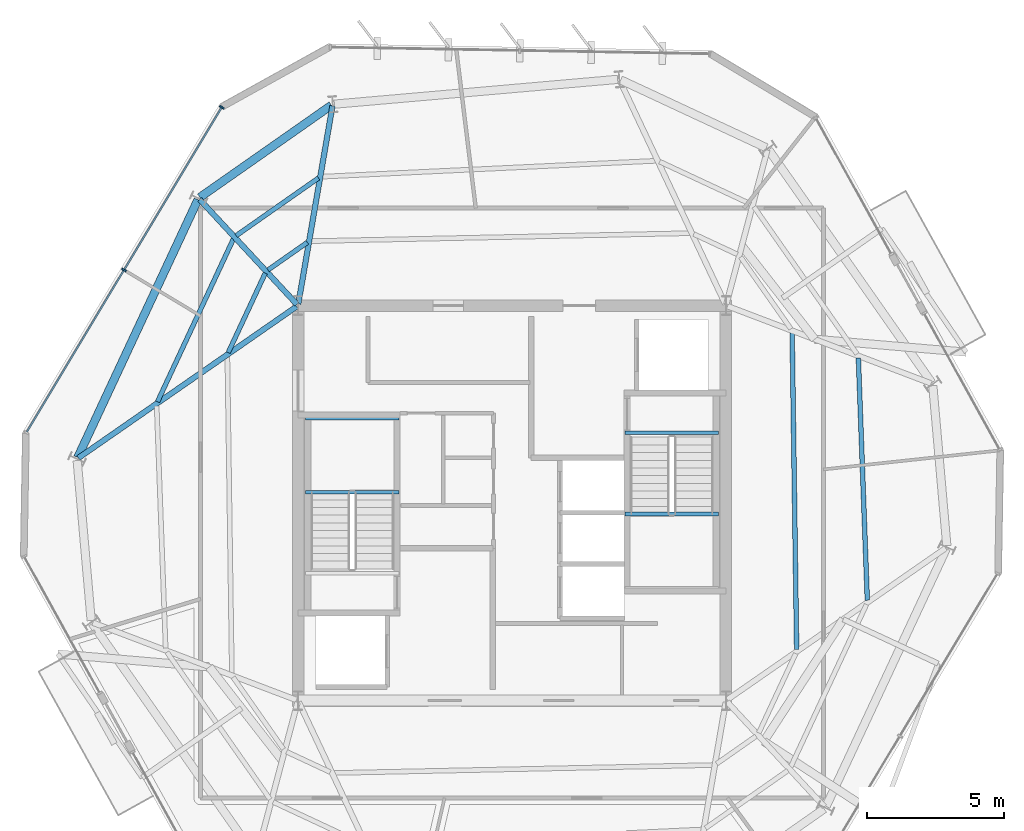
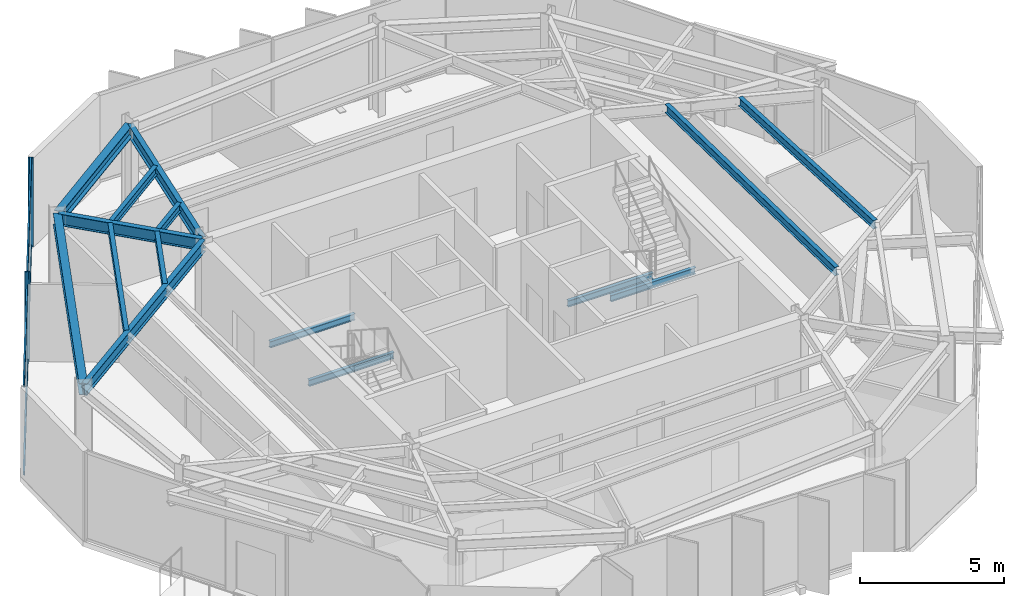
# One storey, part 4 of 10: 15 beams, 6 members, 1 element without a shape of its own.
"""IFC4 building model written with IfcOpenShell, lengths in metres."""

from ifc_helpers import new_model, si_unit, direction, frame, origin, origin_2d, place, context, subcontext, project, spatial, rectangle, i_section, extrude, material, layer, layer_set, material_profile, profile_set, type_object, element, aggregate, save


model = new_model("IFC4")

# Units and contexts
model_context = context("Model", 3, precision=1e-05, world=origin(), true_north=direction((0.0, 1.0)))
body_context = subcontext(model_context, "Body", "Model", "MODEL_VIEW")
ifc_project = project(units=[si_unit("LENGTHUNIT", "METRE"), si_unit("AREAUNIT", "SQUARE_METRE"), si_unit("VOLUMEUNIT", "CUBIC_METRE"), si_unit("PLANEANGLEUNIT", "RADIAN"), si_unit("MASSUNIT", "GRAM", prefix="KILO")], contexts=[model_context])

# Site, building, storey
site_placement = place(None, origin())
site = spatial("IfcSite", under=ifc_project, at=site_placement, CompositionType="ELEMENT")
building_placement = place(site_placement, origin())
building = spatial("IfcBuilding", under=site, at=building_placement, Name="Kranzbogen Civic Tower", CompositionType="ELEMENT")
storey_placement = place(building_placement, frame((0.0, 0.0, 262.199951171875)))
storey = spatial("IfcBuildingStorey", under=building, at=storey_placement, Name="L63", CompositionType="ELEMENT", Elevation=262.199951171875)

# Curtain wall, members
ifc_material_1 = material(Name="Pale Anodised Aluminium", Category="aluminium")
ifc_layer = layer(ifc_material_1, 0.219970703125, Name="Pale Anodised Aluminium")
ifc_layer_set = layer_set([ifc_layer], Name="Pale Anodised Aluminium")
curtain_wall_type = type_object("IfcCurtainWallType", Name="Zone 4 Stick Curtain Wall System CW-05", PredefinedType="USERDEFINED", material=ifc_layer_set)
curtain_wall_placement = place(storey_placement, origin())
curtain_wall = element("IfcCurtainWall", 1, at=curtain_wall_placement, inside=storey, type_object=curtain_wall_type, Name="L63 curtain wall CW-L63-F2", ObjectType="STICK CURTAIN WALL", PredefinedType="USERDEFINED")
ifc_material_profile_1 = material_profile(ifc_material_1, rectangle(XDim=0.06494140625, YDim=0.179931640625, at=origin_2d()), Name="ALU-M 65x180")
ifc_profile_set_1 = profile_set([ifc_material_profile_1], Name="Pale Anodised Aluminium")
member_type_1 = type_object("IfcMemberType", Name="Curtain Wall Mullion ALU-M 65x180", PredefinedType="MULLION", material=ifc_profile_set_1)
member_1_placement = place(storey_placement, frame((14.422607421875, 39.42431640625, 0.0), z_axis=(0.0, 0.0, 1.0), x_axis=(-0.515035522979, -0.857168834052, 0.0)))
member_1 = element("IfcMember", 2, at=member_1_placement, type_object=member_type_1, Name="CW-05 mullion 1", PredefinedType="MULLION", context=body_context, shape_type="SweptSolid", body=[
    extrude(rectangle(XDim=0.06494140625, YDim=0.179931640625, at=origin_2d()), origin(), (0.0, 0.0, 1.0), 3.780029296875),
])
member_2_placement = place(storey_placement, frame((10.860595703125, 33.49609375, 0.0), z_axis=(0.0, 0.0, 1.0), x_axis=(-0.515035522979, -0.857168834052, 0.0)))
member_2 = element("IfcMember", 3, at=member_2_placement, type_object=member_type_1, Name="CW-05 mullion 2", PredefinedType="MULLION", context=body_context, shape_type="SweptSolid", body=[
    extrude(rectangle(XDim=0.06494140625, YDim=0.179931640625, at=origin_2d()), origin(), (0.0, 0.0, 1.0), 3.780029296875),
])
ifc_material_profile_2 = material_profile(ifc_material_1, rectangle(XDim=0.06494140625, YDim=0.135009765625, at=origin_2d()), Name="ALU-T 65x135")
ifc_profile_set_2 = profile_set([ifc_material_profile_2], Name="Pale Anodised Aluminium")
member_type_2 = type_object("IfcMemberType", Name="Curtain Wall Transom ALU-T 65x135", PredefinedType="USERDEFINED", material=ifc_profile_set_2)
member_3_placement = place(storey_placement, frame((14.406982421875, 39.398681640625, 0.030029296875), z_axis=(-0.515014087673, -0.857181713231, 0.0), x_axis=(0.857181713231, -0.515014087673, 0.0)))
member_3 = element("IfcMember", 4, at=member_3_placement, type_object=member_type_2, Name="CW-05 transom 1.1", ObjectType="TRANSOM", PredefinedType="USERDEFINED", context=body_context, shape_type="SweptSolid", body=[
    extrude(rectangle(XDim=0.06494140625, YDim=0.135009765625, at=origin_2d()), origin(), (0.0, 0.0, 1.0), 6.856201171875),
])
member_4_placement = place(storey_placement, frame((14.406982421875, 39.398681640625, 3.75), z_axis=(-0.515014087673, -0.857181713231, 0.0), x_axis=(0.857181713231, -0.515014087673, 0.0)))
member_4 = element("IfcMember", 5, at=member_4_placement, type_object=member_type_2, Name="CW-05 transom 1.2", ObjectType="TRANSOM", PredefinedType="USERDEFINED", context=body_context, shape_type="SweptSolid", body=[
    extrude(rectangle(XDim=0.06494140625, YDim=0.135009765625, at=origin_2d()), origin(), (0.0, 0.0, 1.0), 6.856201171875),
])
member_5_placement = place(storey_placement, frame((10.844970703125, 33.47021484375, 0.030029296875), z_axis=(-0.515029808073, -0.857172267865, 0.0), x_axis=(0.857172267865, -0.515029808073, 0.0)))
member_5 = element("IfcMember", 6, at=member_5_placement, type_object=member_type_2, Name="CW-05 transom 2.1", ObjectType="TRANSOM", PredefinedType="USERDEFINED", context=body_context, shape_type="SweptSolid", body=[
    extrude(rectangle(XDim=0.06494140625, YDim=0.135009765625, at=origin_2d()), origin(), (0.0, 0.0, 1.0), 6.85595703125),
])
member_6_placement = place(storey_placement, frame((10.844970703125, 33.47021484375, 3.75), z_axis=(-0.515029808073, -0.857172267865, 0.0), x_axis=(0.857172267865, -0.515029808073, 0.0)))
member_6 = element("IfcMember", 7, at=member_6_placement, type_object=member_type_2, Name="CW-05 transom 2.2", ObjectType="TRANSOM", PredefinedType="USERDEFINED", context=body_context, shape_type="SweptSolid", body=[
    extrude(rectangle(XDim=0.06494140625, YDim=0.135009765625, at=origin_2d()), origin(), (0.0, 0.0, 1.0), 6.85595703125),
])
aggregate(curtain_wall, [member_1, member_2, member_3, member_4, member_5, member_6])

# Beams
ifc_material_2 = material(Name="Steel S355", Category="steel")
ifc_material_profile_3 = material_profile(ifc_material_2, i_section(OverallWidth=0.300048828125, OverallDepth=0.5, WebThickness=0.014404296875, FlangeThickness=0.028076171875, at=origin_2d()), Name="HEB 500")
ifc_profile_set_3 = profile_set([ifc_material_profile_3], Name="Steel S355")
beam_type_1 = type_object("IfcBeamType", Name="Perimeter Tube Spandrel Beam HEB 500", PredefinedType="SPANDREL", material=ifc_profile_set_3)
beam_1_placement = place(storey_placement, frame((18.41796875, 39.501953125, 3.530029296875), z_axis=(-0.819059436004, -0.57370867197, 0.0), x_axis=(0.57370867197, -0.819059436004, 0.0)))
element("IfcBeam", 8, at=beam_1_placement, inside=storey, type_object=beam_type_1, Name="L63 perimeter spandrel beam 10", PredefinedType="SPANDREL", context=body_context, shape_type="SweptSolid", body=[
    extrude(i_section(OverallWidth=0.300048828125, OverallDepth=0.5, WebThickness=0.014404296875, FlangeThickness=0.028076171875, at=origin_2d()), origin(), (0.0, 0.0, 1.0), 5.85302734375),
])
beam_2_placement = place(storey_placement, frame((13.550048828125, 36.055908203125, 3.530029296875), z_axis=(-0.422668780888, -0.906284227857, 0.0), x_axis=(0.906284227857, -0.422668780888, 0.0)))
element("IfcBeam", 9, at=beam_2_placement, inside=storey, type_object=beam_type_1, Name="L63 perimeter spandrel beam 11", PredefinedType="SPANDREL", context=body_context, shape_type="SweptSolid", body=[
    extrude(i_section(OverallWidth=0.300048828125, OverallDepth=0.5, WebThickness=0.014404296875, FlangeThickness=0.028076171875, at=origin_2d()), origin(), (0.0, 0.0, 1.0), 10.363037109375),
])
ifc_material_profile_4 = material_profile(ifc_material_2, i_section(OverallWidth=0.199951171875, OverallDepth=0.5, WebThickness=0.01025390625, FlangeThickness=0.01611328125, at=origin_2d()), Name="IPE 500")
ifc_profile_set_4 = profile_set([ifc_material_profile_4], Name="Steel S355")
beam_type_2 = type_object("IfcBeamType", Name="Radial Tower Floor Girder IPE 500", PredefinedType="BEAM", material=ifc_profile_set_4)
beam_3_placement = place(storey_placement, frame((18.45703125, 39.47705078125, 3.530029296875), z_axis=(-0.170249558486, -0.985400978199, 0.0), x_axis=(0.985400978199, -0.170249558486, 0.0)))
element("IfcBeam", 10, at=beam_3_placement, inside=storey, type_object=beam_type_2, Name="L63 radial floor girder 10", PredefinedType="BEAM", context=body_context, shape_type="SweptSolid", body=[
    extrude(i_section(OverallWidth=0.199951171875, OverallDepth=0.5, WebThickness=0.01025390625, FlangeThickness=0.01611328125, at=origin_2d()), origin(), (0.0, 0.0, 1.0), 7.324951171875),
])
beam_4_placement = place(storey_placement, frame((13.615966796875, 36.06591796875, 3.530029296875), z_axis=(0.679827353702, -0.733372190064, 0.0), x_axis=(0.733372190064, 0.679827353702, 0.0)))
element("IfcBeam", 11, at=beam_4_placement, inside=storey, type_object=beam_type_2, Name="L63 radial floor girder 11", PredefinedType="BEAM", context=body_context, shape_type="SweptSolid", body=[
    extrude(i_section(OverallWidth=0.199951171875, OverallDepth=0.5, WebThickness=0.01025390625, FlangeThickness=0.01611328125, at=origin_2d()), origin(), (0.0, 0.0, 1.0), 5.211669921875),
])
beam_5_placement = place(storey_placement, frame((9.194091796875, 26.64404296875, 3.530029296875), z_axis=(0.821542812331, 0.570146829779, 0.0), x_axis=(-0.570146829779, 0.821542812331, 0.0)))
element("IfcBeam", 12, at=beam_5_placement, inside=storey, type_object=beam_type_2, Name="L63 radial floor girder 12", PredefinedType="BEAM", context=body_context, shape_type="SweptSolid", body=[
    extrude(i_section(OverallWidth=0.199951171875, OverallDepth=0.5, WebThickness=0.01025390625, FlangeThickness=0.01611328125, at=origin_2d()), origin(), (0.0, 0.0, 1.0), 9.68505859375),
])
ifc_material_profile_5 = material_profile(ifc_material_2, i_section(OverallWidth=0.169921875, OverallDepth=0.360107421875, WebThickness=0.008056640625, FlangeThickness=0.0126953125, at=origin_2d()), Name="IPE 360")
ifc_profile_set_5 = profile_set([ifc_material_profile_5], Name="Steel S355")
beam_type_3 = type_object("IfcBeamType", Name="Secondary Composite Floor Joist IPE 360", PredefinedType="JOIST", material=ifc_profile_set_5)
beam_6_placement = place(storey_placement, frame((37.951904296875, 21.4580078125, 3.60009765625), z_axis=(-0.036992246074, 0.999315552631, 0.0), x_axis=(-0.999315552631, -0.036992246074, 0.0)))
element("IfcBeam", 13, at=beam_6_placement, inside=storey, type_object=beam_type_3, Name="L63 secondary floor joist 1.06", PredefinedType="JOIST", context=body_context, shape_type="SweptSolid", body=[
    extrude(i_section(OverallWidth=0.169921875, OverallDepth=0.360107421875, WebThickness=0.008056640625, FlangeThickness=0.0126953125, at=origin_2d()), origin(), (0.0, 0.0, 1.0), 8.837158203125),
])
beam_7_placement = place(storey_placement, frame((35.3759765625, 19.6689453125, 3.60009765625), z_axis=(-0.014221385906, 0.999898870978, 0.0), x_axis=(-0.999898870978, -0.014221385906, 0.0)))
element("IfcBeam", 14, at=beam_7_placement, inside=storey, type_object=beam_type_3, Name="L63 secondary floor joist 2.06", PredefinedType="JOIST", context=body_context, shape_type="SweptSolid", body=[
    extrude(i_section(OverallWidth=0.169921875, OverallDepth=0.360107421875, WebThickness=0.008056640625, FlangeThickness=0.0126953125, at=origin_2d()), origin(), (0.0, 0.0, 1.0), 11.536376953125),
])
beam_8_placement = place(storey_placement, frame((17.945068359375, 36.84912109375, 3.60009765625), z_axis=(-0.819006333711, -0.573784476385, 0.0), x_axis=(0.573784476385, -0.819006333711, 0.0)))
element("IfcBeam", 15, at=beam_8_placement, inside=storey, type_object=beam_type_3, Name="L63 secondary floor joist 1.10", PredefinedType="JOIST", context=body_context, shape_type="SweptSolid", body=[
    extrude(i_section(OverallWidth=0.169921875, OverallDepth=0.360107421875, WebThickness=0.008056640625, FlangeThickness=0.0126953125, at=origin_2d()), origin(), (0.0, 0.0, 1.0), 3.661865234375),
])
beam_9_placement = place(storey_placement, frame((17.5400390625, 34.501953125, 3.60009765625), z_axis=(-0.818956727849, -0.573855276103, 0.0), x_axis=(0.573855276103, -0.818956727849, 0.0)))
element("IfcBeam", 16, at=beam_9_placement, inside=storey, type_object=beam_type_3, Name="L63 secondary floor joist 2.10", PredefinedType="JOIST", context=body_context, shape_type="SweptSolid", body=[
    extrude(i_section(OverallWidth=0.169921875, OverallDepth=0.360107421875, WebThickness=0.008056640625, FlangeThickness=0.0126953125, at=origin_2d()), origin(), (0.0, 0.0, 1.0), 1.751220703125),
])
beam_10_placement = place(storey_placement, frame((14.845947265625, 34.6298828125, 3.60009765625), z_axis=(-0.422542528713, -0.906343098075, 0.0), x_axis=(0.906343098075, -0.422542528713, 0.0)))
element("IfcBeam", 17, at=beam_10_placement, inside=storey, type_object=beam_type_3, Name="L63 secondary floor joist 1.11", PredefinedType="JOIST", context=body_context, shape_type="SweptSolid", body=[
    extrude(i_section(OverallWidth=0.169921875, OverallDepth=0.360107421875, WebThickness=0.008056640625, FlangeThickness=0.0126953125, at=origin_2d()), origin(), (0.0, 0.0, 1.0), 6.548095703125),
])
beam_11_placement = place(storey_placement, frame((16.006103515625, 33.37890625, 3.60009765625), z_axis=(-0.422651143991, -0.906292453065, 0.0), x_axis=(0.906292453065, -0.422651143991, 0.0)))
element("IfcBeam", 18, at=beam_11_placement, inside=storey, type_object=beam_type_3, Name="L63 secondary floor joist 2.11", PredefinedType="JOIST", context=body_context, shape_type="SweptSolid", body=[
    extrude(i_section(OverallWidth=0.169921875, OverallDepth=0.360107421875, WebThickness=0.008056640625, FlangeThickness=0.0126953125, at=origin_2d()), origin(), (0.0, 0.0, 1.0), 3.1943359375),
])
ifc_material_profile_6 = material_profile(ifc_material_2, i_section(OverallWidth=0.135009765625, OverallDepth=0.27001953125, WebThickness=0.006591796875, FlangeThickness=0.01025390625, at=origin_2d()), Name="IPE 270")
ifc_profile_set_6 = profile_set([ifc_material_profile_6], Name="Steel S355")
beam_type_4 = type_object("IfcBeamType", Name="Stair Landing Support Beam IPE 270", PredefinedType="JOIST", material=ifc_profile_set_6)
for number, where, z_axis, x_axis, name in (
    (19, (20.8798828125, 25.39990234375, 1.6650390625), (-1.0, 0.0, 0.0), (0.0, -1.0, 0.0), "L63 ST-T1 landing support beam 1.1"),
    (20, (20.8798828125, 28.10009765625, 1.6650390625), (-1.0, 0.0, 0.0), (0.0, -1.0, 0.0), "L63 ST-T1 landing support beam 1.2"),
    (21, (29.1201171875, 27.56005859375, -0.35498046875), (1.0, 0.0, 0.0), (0.0, 1.0, 0.0), "L63 ST-T2 stair floor header beam"),
    (22, (29.1201171875, 24.60009765625, 1.6650390625), (1.0, 0.0, 0.0), (0.0, 1.0, 0.0), "L63 ST-T2 landing support beam 1.1"),
):
    element("IfcBeam", number, at=place(storey_placement, frame(where, z_axis=z_axis, x_axis=x_axis)), inside=storey, type_object=beam_type_4, Name=name, PredefinedType="JOIST", context=body_context, shape_type="SweptSolid", body=[
        extrude(i_section(OverallWidth=0.135009765625, OverallDepth=0.27001953125, WebThickness=0.006591796875, FlangeThickness=0.01025390625, at=origin_2d()), origin(), (0.0, 0.0, 1.0), 3.409912109375),
    ])

save(model, "model.ifc")
